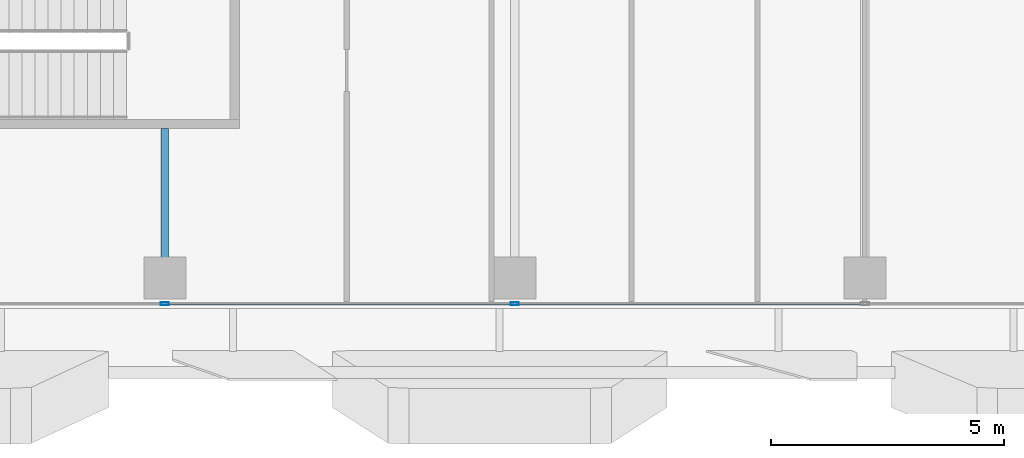
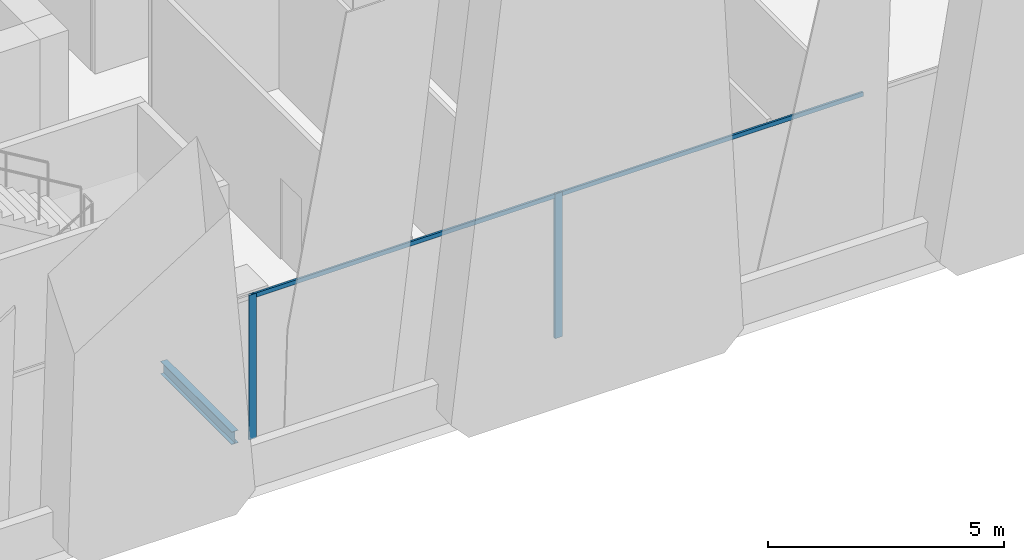
# One storey, part 5 of 33: 4 members, 1 beam, 1 element without a shape of its own.
"""IFC4 building model written with IfcOpenShell, lengths in metres."""

from ifc_helpers import new_model, si_unit, direction, frame, origin, origin_2d, place, context, subcontext, project, spatial, hollow_rectangle, i_section, extrude, source, transform, mapped, material, material_profile, profile_set, type_object, element, aggregate, save


model = new_model("IFC4")

# Units and contexts
model_context = context("Model", 3, precision=1e-05, world=origin(), true_north=direction((0.0, 1.0)))
body_context = subcontext(model_context, "Body", "Model", "MODEL_VIEW")
ifc_project = project(units=[si_unit("LENGTHUNIT", "METRE"), si_unit("AREAUNIT", "SQUARE_METRE"), si_unit("VOLUMEUNIT", "CUBIC_METRE"), si_unit("PLANEANGLEUNIT", "RADIAN"), si_unit("MASSUNIT", "GRAM", prefix="KILO")], contexts=[model_context])

# Site, building, storey
site_placement = place(None, origin())
site = spatial("IfcSite", under=ifc_project, at=site_placement, CompositionType="ELEMENT")
building_placement = place(site_placement, origin())
building = spatial("IfcBuilding", under=site, at=building_placement, Name="Khomas Fold Tower", CompositionType="ELEMENT")
storey_placement = place(building_placement, frame((0.0, 0.0, 222.199951171875)))
storey = spatial("IfcBuildingStorey", under=building, at=storey_placement, Name="L49", CompositionType="ELEMENT", Elevation=222.199951171875)

# Beam
ifc_material_1 = material(Name="Steel S355", Category="steel")
ifc_material_profile_1 = material_profile(ifc_material_1, i_section(OverallWidth=0.159912109375, OverallDepth=0.330078125, WebThickness=0.007568359375, FlangeThickness=0.011474609375, at=origin_2d()), Name="IPE 330")
ifc_profile_set_1 = profile_set([ifc_material_profile_1], Name="Steel S355")
beam_type = type_object("IfcBeamType", Name="IPE 330 beam JB1", PredefinedType="BEAM", material=ifc_profile_set_1)
shared_shape_1 = source(origin(), body_context, "Body", "SweptSolid", [
    extrude(i_section(OverallWidth=0.159912109375, OverallDepth=0.330078125, WebThickness=0.007568359375, FlangeThickness=0.011474609375, at=origin_2d()), origin(), (0.0, 0.0, 1.0), 3.025146484375),
])
beam_placement = place(storey_placement, frame((19.5, 5.324951171875, -0.4150390625), z_axis=(0.0, 1.0, 0.0), x_axis=(-1.0, 0.0, 0.0)))
element("IfcBeam", 1, at=beam_placement, inside=storey, type_object=beam_type, Name="JB1", PredefinedType="BEAM", context=body_context, shape_type="MappedRepresentation", body=[
    mapped(shared_shape_1, transform((0.0, 0.0, 0.0))),
])

# Curtain wall, members
ifc_material_2 = material(Name="Aluminium framed double glazing", Category="aluminium")
curtain_wall_type = type_object("IfcCurtainWallType", Name="SK-Unitised clear-glass wall, office floors CW2", PredefinedType="NOTDEFINED", material=ifc_material_2)
curtain_wall_placement = place(storey_placement, origin())
curtain_wall = element("IfcCurtainWall", 2, at=curtain_wall_placement, inside=storey, type_object=curtain_wall_type, Name="CW2 run L49 00-0", PredefinedType="NOTDEFINED")
ifc_material_3 = material(Name="Aluminium", Category="aluminium")
ifc_material_profile_2 = material_profile(ifc_material_3, hollow_rectangle(XDim=0.06005859375, YDim=0.179931640625, WallThickness=0.00390625, at=origin_2d()), Name="SK-Unitised clear-glass wall, office floors mullion CW2-M")
ifc_profile_set_2 = profile_set([ifc_material_profile_2], Name="Aluminium")
member_type_1 = type_object("IfcMemberType", Name="SK-Unitised clear-glass wall, office floors mullion CW2-M", PredefinedType="MULLION", material=ifc_profile_set_2)
shared_shape_2 = source(origin(), body_context, "Body", "SweptSolid", [
    extrude(hollow_rectangle(XDim=0.06005859375, YDim=0.179931640625, WallThickness=0.00390625, at=origin_2d()), origin(), (0.0, 0.0, 1.0), 3.75),
])
member_1_placement = place(storey_placement, frame((19.5, 4.60009765625, 0.0), z_axis=(0.0, 0.0, 1.0), x_axis=(0.0, 1.0, 0.0)))
member_1 = element("IfcMember", 3, at=member_1_placement, type_object=member_type_1, Name="CW2 mullion 3", PredefinedType="MULLION", context=body_context, shape_type="MappedRepresentation", body=[
    mapped(shared_shape_2, transform((0.0, 0.0, 0.0))),
])
member_2_placement = place(storey_placement, frame((27.0, 4.60009765625, 0.0), z_axis=(0.0, 0.0, 1.0), x_axis=(0.0, 1.0, 0.0)))
member_2 = element("IfcMember", 4, at=member_2_placement, type_object=member_type_1, Name="CW2 mullion 4", PredefinedType="MULLION", context=body_context, shape_type="MappedRepresentation", body=[
    mapped(shared_shape_2, transform((0.0, 0.0, 0.0))),
])
ifc_material_4 = material(Name="Aluminium", Category="aluminium")
ifc_material_profile_3 = material_profile(ifc_material_4, hollow_rectangle(XDim=0.050048828125, YDim=0.110107421875, WallThickness=0.00390625, at=origin_2d()), Name="SK-Unitised clear-glass wall, office floors transom CW2-T")
ifc_profile_set_3 = profile_set([ifc_material_profile_3], Name="Aluminium")
member_type_2 = type_object("IfcMemberType", Name="SK-Unitised clear-glass wall, office floors transom CW2-T", PredefinedType="USERDEFINED", material=ifc_profile_set_3)
shared_shape_3 = source(origin(), body_context, "Body", "SweptSolid", [
    extrude(hollow_rectangle(XDim=0.050048828125, YDim=0.110107421875, WallThickness=0.00390625, at=origin_2d()), origin(), (0.0, 0.0, 1.0), 7.43994140625),
])
member_3_placement = place(storey_placement, frame((19.530029296875, 4.60009765625, 3.695068359375), z_axis=(1.0, 0.0, 0.0), x_axis=(0.0, 1.0, 0.0)))
member_3 = element("IfcMember", 5, at=member_3_placement, type_object=member_type_2, Name="CW2 transom 3", ObjectType="TRANSOM", PredefinedType="USERDEFINED", context=body_context, shape_type="MappedRepresentation", body=[
    mapped(shared_shape_3, transform((0.0, 0.0, 0.0))),
])
member_4_placement = place(storey_placement, frame((27.030029296875, 4.60009765625, 3.695068359375), z_axis=(1.0, 0.0, 0.0), x_axis=(0.0, 1.0, 0.0)))
member_4 = element("IfcMember", 6, at=member_4_placement, type_object=member_type_2, Name="CW2 transom 4", ObjectType="TRANSOM", PredefinedType="USERDEFINED", context=body_context, shape_type="MappedRepresentation", body=[
    mapped(shared_shape_3, transform((0.0, 0.0, 0.0))),
])
aggregate(curtain_wall, [member_1, member_2, member_3, member_4])

save(model, "model.ifc")
